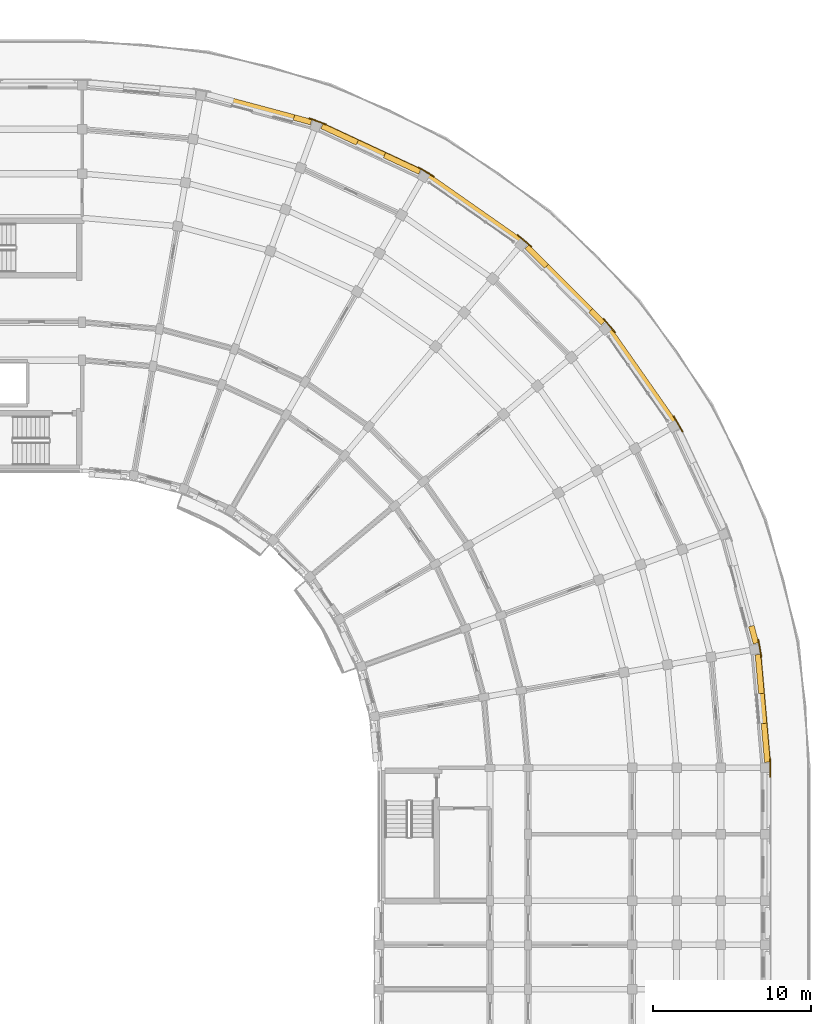
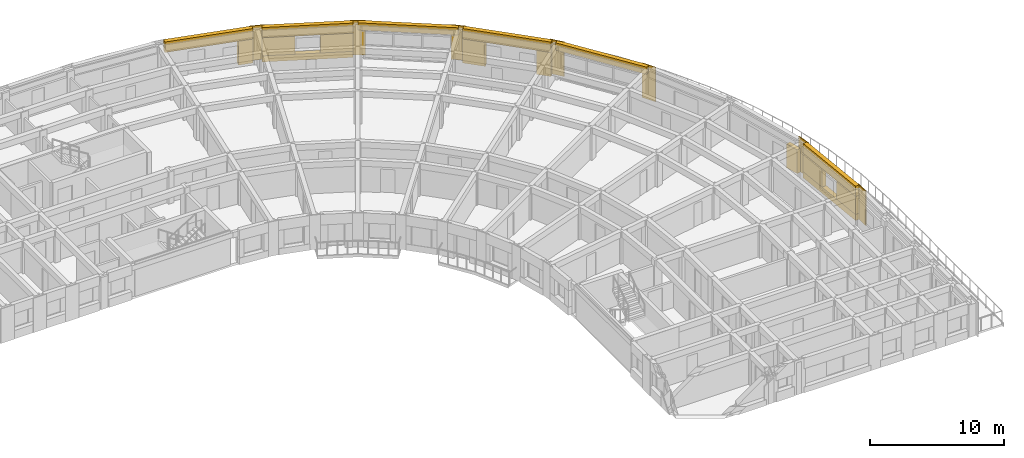
# One storey, part 53 of 53: 23 coverings.
"""IFC4 building model written with IfcOpenShell, lengths in metres."""

from ifc_helpers import new_model, si_unit, direction, frame, origin, place, context, subcontext, project, spatial, polyline, outline, extrude, material, layer, layer_set, type_object, element, save


model = new_model("IFC4")

# Units and contexts
model_context = context("Model", 3, precision=1e-05, world=origin(), true_north=direction((0.0, 1.0)))
body_context = subcontext(model_context, "Body", "Model", "MODEL_VIEW")
ifc_project = project(units=[si_unit("LENGTHUNIT", "METRE"), si_unit("AREAUNIT", "SQUARE_METRE"), si_unit("VOLUMEUNIT", "CUBIC_METRE"), si_unit("PLANEANGLEUNIT", "RADIAN"), si_unit("MASSUNIT", "GRAM", prefix="KILO")], contexts=[model_context])

# Site, building, storey
site_placement = place(None, origin())
site = spatial("IfcSite", under=ifc_project, at=site_placement, CompositionType="ELEMENT")
building_placement = place(site_placement, origin())
building = spatial("IfcBuilding", under=site, at=building_placement, Name="Kiranvali Square Residences", CompositionType="ELEMENT")
storey_placement = place(building_placement, frame((0.0, 0.0, 30.75)))
storey = spatial("IfcBuildingStorey", under=building, at=storey_placement, Name="L09", CompositionType="ELEMENT", Elevation=30.75)

# Coverings
ifc_material = material(Name="Honed Porbandar limestone ashlar facade cladding", Category="masonry")
ifc_layer_1 = layer(ifc_material, 0.3798828125)
ifc_layer_set_1 = layer_set([ifc_layer_1], Name="Honed Porbandar limestone ashlar facade cladding")
covering_type_1 = type_object("IfcCoveringType", Name="COV-CLAD-JAMB", PredefinedType="CLADDING", material=ifc_layer_set_1)
covering_1_placement = place(storey_placement, origin())
element("IfcCovering", 1, at=covering_1_placement, inside=storey, type_object=covering_type_1, Name="L09 deep limestone window jamb reveal B-L09-CRV-01.R", PredefinedType="CLADDING", context=body_context, shape_type="SweptSolid", body=[
    extrude(outline(polyline([(133.14990234375, 128.777099609375), (134.2373046875, 128.48583984375), (134.330322265625, 128.8330078125), (133.242919921875, 129.12451171875), (133.14990234375, 128.777099609375)])), origin(), (0.0, 0.0, 1.0), 2.179931640625),
])
covering_2_placement = place(storey_placement, frame((0.0, 0.0, 0.56201171875)))
element("IfcCovering", 2, at=covering_2_placement, inside=storey, type_object=covering_type_1, Name="L09 deep limestone window jamb reveal B-L09-CRV-02.L", PredefinedType="CLADDING", context=body_context, shape_type="SweptSolid", body=[
    extrude(outline(polyline([(134.892578125, 128.247314453125), (137.126953125, 127.20556640625), (137.27880859375, 127.53125), (135.044677734375, 128.572998046875), (134.892578125, 128.247314453125)])), origin(), (0.0, 0.0, 1.0), 1.64990234375),
])
covering_3_placement = place(storey_placement, frame((0.0, 0.0, 0.56201171875)))
element("IfcCovering", 3, at=covering_3_placement, inside=storey, type_object=covering_type_1, Name="L09 deep limestone window jamb reveal B-L09-CRV-02.R", PredefinedType="CLADDING", context=body_context, shape_type="SweptSolid", body=[
    extrude(outline(polyline([(138.848876953125, 126.402587890625), (141.0830078125, 125.360595703125), (141.23486328125, 125.6865234375), (139.000732421875, 126.728271484375), (138.848876953125, 126.402587890625)])), origin(), (0.0, 0.0, 1.0), 1.64990234375),
])
covering_4_placement = place(storey_placement, origin())
element("IfcCovering", 4, at=covering_4_placement, inside=storey, type_object=covering_type_1, Name="L09 deep limestone window jamb reveal B-L09-CRV-04.L", PredefinedType="CLADDING", context=body_context, shape_type="SweptSolid", body=[
    extrude(outline(polyline([(147.816162109375, 120.64599609375), (149.047119140625, 119.415283203125), (149.30126953125, 119.66943359375), (148.070556640625, 120.900146484375), (147.816162109375, 120.64599609375)])), origin(), (0.0, 0.0, 1.0), 2.179931640625),
])
covering_5_placement = place(storey_placement, origin())
element("IfcCovering", 5, at=covering_5_placement, inside=storey, type_object=covering_type_1, Name="L09 deep limestone window jamb reveal B-L09-CRV-04.R", PredefinedType="CLADDING", context=body_context, shape_type="SweptSolid", body=[
    extrude(outline(polyline([(151.849853515625, 116.6123046875), (152.64599609375, 115.816162109375), (152.900146484375, 116.070556640625), (152.10400390625, 116.86669921875), (151.849853515625, 116.6123046875)])), origin(), (0.0, 0.0, 1.0), 2.179931640625),
])
covering_6_placement = place(storey_placement, origin())
element("IfcCovering", 6, at=covering_6_placement, inside=storey, type_object=covering_type_1, Name="L09 deep limestone window jamb reveal B-L09-CRV-07.R", PredefinedType="CLADDING", context=body_context, shape_type="SweptSolid", body=[
    extrude(outline(polyline([(161.962158203125, 96.727294921875), (162.253662109375, 95.639892578125), (162.600830078125, 95.73291015625), (162.3095703125, 96.8203125), (161.962158203125, 96.727294921875)])), origin(), (0.0, 0.0, 1.0), 2.179931640625),
])
covering_7_placement = place(storey_placement, frame((0.0, 0.0, 0.56201171875)))
element("IfcCovering", 7, at=covering_7_placement, inside=storey, type_object=covering_type_1, Name="L09 deep limestone window jamb reveal B-L09-CRV-08.L", PredefinedType="CLADDING", context=body_context, shape_type="SweptSolid", body=[
    extrude(outline(polyline([(162.374755859375, 94.952880859375), (162.589599609375, 92.497314453125), (162.94775390625, 92.528564453125), (162.73291015625, 94.984375), (162.374755859375, 94.952880859375)])), origin(), (0.0, 0.0, 1.0), 1.64990234375),
])
covering_8_placement = place(storey_placement, frame((0.0, 0.0, 0.56201171875)))
element("IfcCovering", 8, at=covering_8_placement, inside=storey, type_object=covering_type_1, Name="L09 deep limestone window jamb reveal B-L09-CRV-08.R", PredefinedType="CLADDING", context=body_context, shape_type="SweptSolid", body=[
    extrude(outline(polyline([(162.755126953125, 90.6044921875), (162.969970703125, 88.148681640625), (163.328125, 88.179931640625), (163.11328125, 90.6357421875), (162.755126953125, 90.6044921875)])), origin(), (0.0, 0.0, 1.0), 1.64990234375),
])
ifc_layer_2 = layer(ifc_material, 0.06494140625)
ifc_layer_set_2 = layer_set([ifc_layer_2], Name="Honed Porbandar limestone ashlar facade cladding")
covering_type_2 = type_object("IfcCoveringType", Name="COV-CLAD-PIER", PredefinedType="CLADDING", material=ifc_layer_set_2)
covering_9_placement = place(storey_placement, frame((0.0, 0.0, 0.0048828125)))
element("IfcCovering", 9, at=covering_9_placement, inside=storey, type_object=covering_type_2, Name="L09 Classical limestone corner pilaster CLAD-PR-B-L09-A02", PredefinedType="CLADDING", context=body_context, shape_type="SweptSolid", body=[
    extrude(outline(polyline([(135.24609375, 128.542236328125), (134.156005859375, 128.93896484375), (134.133056640625, 128.87548828125), (135.22314453125, 128.478759765625), (135.24609375, 128.542236328125)])), origin(), (0.0, 0.0, 1.0), 3.14013671875),
])
covering_10_placement = place(storey_placement, frame((0.0, 0.0, 0.0048828125)))
element("IfcCovering", 10, at=covering_10_placement, inside=storey, type_object=covering_type_2, Name="L09 Classical limestone corner pilaster CLAD-PR-B-L09-A03", PredefinedType="CLADDING", context=body_context, shape_type="SweptSolid", body=[
    extrude(outline(polyline([(142.086181640625, 125.240966796875), (141.081787109375, 125.821044921875), (141.0478515625, 125.762451171875), (142.052490234375, 125.1826171875), (142.086181640625, 125.240966796875)])), origin(), (0.0, 0.0, 1.0), 3.14013671875),
])
covering_11_placement = place(storey_placement, frame((0.0, 0.0, 0.0048828125)))
element("IfcCovering", 11, at=covering_11_placement, inside=storey, type_object=covering_type_2, Name="L09 Classical limestone corner pilaster CLAD-PR-B-L09-A04", PredefinedType="CLADDING", context=body_context, shape_type="SweptSolid", body=[
    extrude(outline(polyline([(148.249267578125, 120.80224609375), (147.360595703125, 121.5478515625), (147.3173828125, 121.49609375), (148.205810546875, 120.75048828125), (148.249267578125, 120.80224609375)])), origin(), (0.0, 0.0, 1.0), 3.14013671875),
])
covering_12_placement = place(storey_placement, frame((0.0, 0.0, 0.0048828125)))
element("IfcCovering", 12, at=covering_12_placement, inside=storey, type_object=covering_type_2, Name="L09 Classical limestone corner pilaster CLAD-PR-B-L09-A05", PredefinedType="CLADDING", context=body_context, shape_type="SweptSolid", body=[
    extrude(outline(polyline([(153.5478515625, 115.360595703125), (152.80224609375, 116.249267578125), (152.75048828125, 116.205810546875), (153.49609375, 115.3173828125), (153.5478515625, 115.360595703125)])), origin(), (0.0, 0.0, 1.0), 3.14013671875),
])
covering_13_placement = place(storey_placement, frame((0.0, 0.0, 0.0048828125)))
element("IfcCovering", 13, at=covering_13_placement, inside=storey, type_object=covering_type_2, Name="L09 Classical limestone corner pilaster CLAD-PR-B-L09-A06", PredefinedType="CLADDING", context=body_context, shape_type="SweptSolid", body=[
    extrude(outline(polyline([(157.821044921875, 109.081787109375), (157.240966796875, 110.086181640625), (157.1826171875, 110.052490234375), (157.762451171875, 109.0478515625), (157.821044921875, 109.081787109375)])), origin(), (0.0, 0.0, 1.0), 3.14013671875),
])
covering_14_placement = place(storey_placement, frame((0.0, 0.0, 0.0048828125)))
element("IfcCovering", 14, at=covering_14_placement, inside=storey, type_object=covering_type_2, Name="L09 Classical limestone corner pilaster CLAD-PR-B-L09-A08", PredefinedType="CLADDING", context=body_context, shape_type="SweptSolid", body=[
    extrude(outline(polyline([(162.806884765625, 94.79443359375), (162.60546875, 95.936767578125), (162.538818359375, 95.925048828125), (162.740234375, 94.782470703125), (162.806884765625, 94.79443359375)])), origin(), (0.0, 0.0, 1.0), 3.14013671875),
])
covering_15_placement = place(storey_placement, frame((0.0, 0.0, 0.0048828125)))
element("IfcCovering", 15, at=covering_15_placement, inside=storey, type_object=covering_type_2, Name="L09 Classical limestone corner pilaster CLAD-PR-B-L09-A09", PredefinedType="CLADDING", context=body_context, shape_type="SweptSolid", body=[
    extrude(outline(polyline([(163.367919921875, 87.219970703125), (163.367919921875, 88.3798828125), (163.300537109375, 88.3798828125), (163.300537109375, 87.219970703125), (163.367919921875, 87.219970703125)])), origin(), (0.0, 0.0, 1.0), 3.14013671875),
])
ifc_layer_3 = layer(ifc_material, 0.360107421875)
ifc_layer_set_3 = layer_set([ifc_layer_3], Name="Honed Porbandar limestone ashlar facade cladding")
covering_type_3 = type_object("IfcCoveringType", Name="COV-CLAD-WALL", PredefinedType="CLADDING", material=ifc_layer_set_3)
covering_16_placement = place(storey_placement, frame((0.0, 0.0, 2.179931640625)))
element("IfcCovering", 16, at=covering_16_placement, inside=storey, type_object=covering_type_3, Name="L09 light limestone spandrel lintel B-L09-CRV-01", PredefinedType="CLADDING", context=body_context, shape_type="SweptSolid", body=[
    extrude(outline(polyline([(127.639892578125, 130.253662109375), (134.2373046875, 128.48583984375), (134.330322265625, 128.8330078125), (127.73291015625, 130.600830078125), (127.639892578125, 130.253662109375)])), origin(), (0.0, 0.0, 1.0), 0.965087890625),
])
covering_17_placement = place(storey_placement, frame((0.0, 0.0, 2.2119140625)))
element("IfcCovering", 17, at=covering_17_placement, inside=storey, type_object=covering_type_3, Name="L09 light limestone spandrel lintel B-L09-CRV-02", PredefinedType="CLADDING", context=body_context, shape_type="SweptSolid", body=[
    extrude(outline(polyline([(134.892578125, 128.247314453125), (141.0830078125, 125.360595703125), (141.23486328125, 125.6865234375), (135.044677734375, 128.572998046875), (134.892578125, 128.247314453125)])), origin(), (0.0, 0.0, 1.0), 0.93310546875),
])
covering_18_placement = place(storey_placement, frame((0.0, 0.0, 0.0048828125)))
element("IfcCovering", 18, at=covering_18_placement, inside=storey, type_object=covering_type_3, Name="L09 limestone window sill apron B-L09-CRV-02", PredefinedType="CLADDING", context=body_context, shape_type="SweptSolid", body=[
    extrude(outline(polyline([(134.892578125, 128.247314453125), (141.0830078125, 125.360595703125), (141.24755859375, 125.713623046875), (135.057373046875, 128.600341796875), (134.892578125, 128.247314453125)])), origin(), (0.0, 0.0, 1.0), 0.55712890625),
])
covering_19_placement = place(storey_placement, frame((0.0, 0.0, 2.47998046875)))
element("IfcCovering", 19, at=covering_19_placement, inside=storey, type_object=covering_type_3, Name="Block B L09 limestone terrace header 4", PredefinedType="CLADDING", context=body_context, shape_type="SweptSolid", body=[
    extrude(outline(polyline([(141.401123046875, 125.2138671875), (147.569580078125, 120.894775390625), (147.77490234375, 121.18798828125), (141.6064453125, 125.507080078125), (141.401123046875, 125.2138671875)])), origin(), (0.0, 0.0, 1.0), 0.6650390625),
])
covering_20_placement = place(storey_placement, frame((0.0, 0.0, 2.179931640625)))
element("IfcCovering", 20, at=covering_20_placement, inside=storey, type_object=covering_type_3, Name="L09 light limestone spandrel lintel B-L09-CRV-04", PredefinedType="CLADDING", context=body_context, shape_type="SweptSolid", body=[
    extrude(outline(polyline([(147.816162109375, 120.64599609375), (152.64599609375, 115.816162109375), (152.900146484375, 116.070556640625), (148.070556640625, 120.900146484375), (147.816162109375, 120.64599609375)])), origin(), (0.0, 0.0, 1.0), 0.965087890625),
])
covering_21_placement = place(storey_placement, frame((0.0, 0.0, 2.47998046875)))
element("IfcCovering", 21, at=covering_21_placement, inside=storey, type_object=covering_type_3, Name="Block B L09 limestone terrace header 6", PredefinedType="CLADDING", context=body_context, shape_type="SweptSolid", body=[
    extrude(outline(polyline([(152.894775390625, 115.569580078125), (157.2138671875, 109.401123046875), (157.507080078125, 109.6064453125), (153.18798828125, 115.77490234375), (152.894775390625, 115.569580078125)])), origin(), (0.0, 0.0, 1.0), 0.6650390625),
])
covering_22_placement = place(storey_placement, frame((0.0, 0.0, 2.2119140625)))
element("IfcCovering", 22, at=covering_22_placement, inside=storey, type_object=covering_type_3, Name="L09 light limestone spandrel lintel B-L09-CRV-08", PredefinedType="CLADDING", context=body_context, shape_type="SweptSolid", body=[
    extrude(outline(polyline([(162.374755859375, 94.952880859375), (162.969970703125, 88.148681640625), (163.328125, 88.179931640625), (162.73291015625, 94.984375), (162.374755859375, 94.952880859375)])), origin(), (0.0, 0.0, 1.0), 0.93310546875),
])
covering_23_placement = place(storey_placement, frame((0.0, 0.0, 0.0048828125)))
element("IfcCovering", 23, at=covering_23_placement, inside=storey, type_object=covering_type_3, Name="L09 limestone window sill apron B-L09-CRV-08", PredefinedType="CLADDING", context=body_context, shape_type="SweptSolid", body=[
    extrude(outline(polyline([(162.374755859375, 94.952880859375), (162.969970703125, 88.148681640625), (163.35791015625, 88.1826171875), (162.7626953125, 94.98681640625), (162.374755859375, 94.952880859375)])), origin(), (0.0, 0.0, 1.0), 0.55712890625),
])

save(model, "model.ifc")
